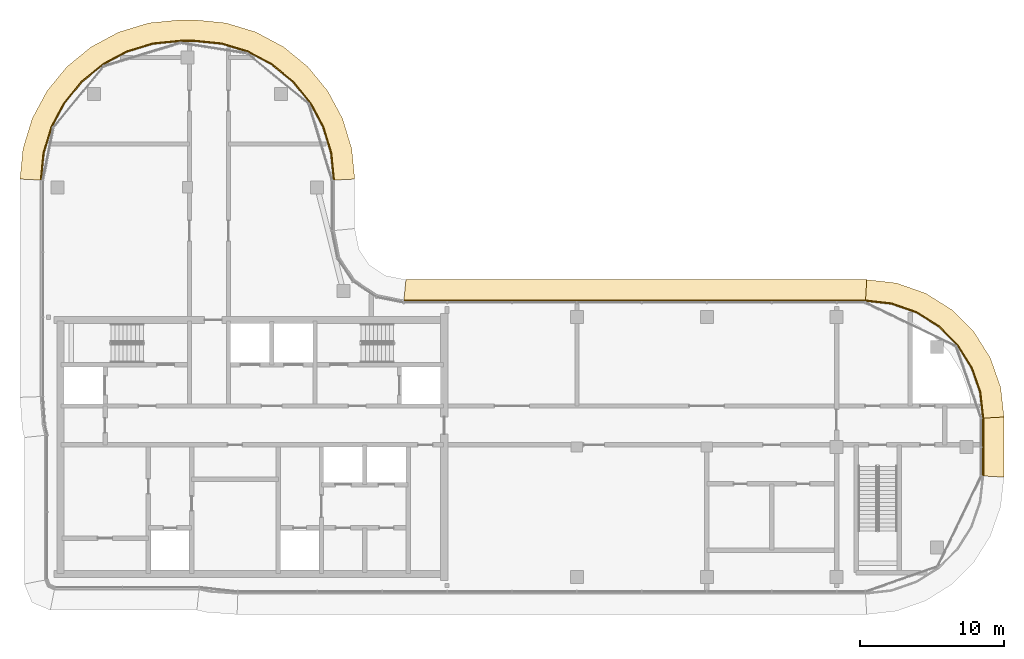
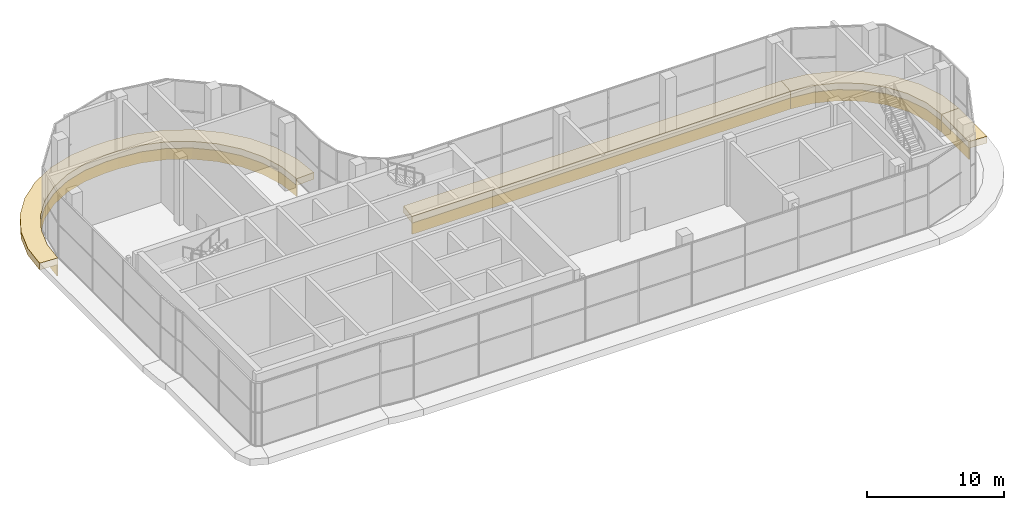
# One storey, part 23 of 23: 8 coverings.
"""IFC4 building model written with IfcOpenShell, lengths in metres."""

from ifc_helpers import new_model, si_unit, direction, frame, origin, place, context, subcontext, project, spatial, polyline, outline, extrude, material, layer, layer_set, type_object, element, save


model = new_model("IFC4")

# Units and contexts
model_context = context("Model", 3, precision=1e-05, world=origin(), true_north=direction((0.0, 1.0)))
body_context = subcontext(model_context, "Body", "Model", "MODEL_VIEW")
ifc_project = project(units=[si_unit("LENGTHUNIT", "METRE"), si_unit("AREAUNIT", "SQUARE_METRE"), si_unit("VOLUMEUNIT", "CUBIC_METRE"), si_unit("PLANEANGLEUNIT", "RADIAN"), si_unit("MASSUNIT", "GRAM", prefix="KILO")], contexts=[model_context])

# Site, building, storey
site_placement = place(None, origin())
site = spatial("IfcSite", under=ifc_project, at=site_placement, CompositionType="ELEMENT")
building_placement = place(site_placement, origin())
building = spatial("IfcBuilding", under=site, at=building_placement, Name="Ogive Portal Towers", CompositionType="ELEMENT")
storey_placement = place(building_placement, frame((0.0, 0.0, 260.89990234375)))
storey = spatial("IfcBuildingStorey", under=building, at=storey_placement, Name="L64", CompositionType="ELEMENT", Elevation=260.89990234375)

# Coverings
ifc_material = material(Name="Limestone cladding on lightweight block wall", Category="masonry")
ifc_layer_1 = layer(ifc_material, 0.080078125)
ifc_layer_set_1 = layer_set([ifc_layer_1], Name="STONE SPANDREL 80")
covering_type_1 = type_object("IfcCoveringType", Name="STONE SPANDREL 80", PredefinedType="CLADDING", material=ifc_layer_set_1)
covering_1_placement = place(storey_placement, frame((0.0, 0.0, -1.599853515625)))
element("IfcCovering", 1, at=covering_1_placement, inside=storey, type_object=covering_type_1, Name="Stone spandrel A1-F07", PredefinedType="CLADDING", context=body_context, shape_type="SweptSolid", body=[
    extrude(outline(polyline([(95.60009765625, 28.5), (95.60009765625, 32.5), (95.679931640625, 32.50439453125), (95.679931640625, 28.49560546875), (95.60009765625, 28.5)])), origin(), (0.0, 0.0, 1.0), 1.0),
])
covering_2_placement = place(storey_placement, frame((0.0, 0.0, -1.599853515625)))
element("IfcCovering", 2, at=covering_2_placement, inside=storey, type_object=covering_type_1, Name="Stone spandrel A1-F08", PredefinedType="CLADDING", context=body_context, shape_type="SweptSolid", body=[
    extrude(outline(polyline([(95.60009765625, 32.5), (95.39697265625, 34.302490234375), (94.7978515625, 36.014404296875), (93.832763671875, 37.55029296875), (92.55029296875, 38.832763671875), (91.014404296875, 39.7978515625), (89.302490234375, 40.39697265625), (87.5, 40.60009765625), (87.50439453125, 40.679931640625), (89.3203125, 40.475341796875), (91.04931640625, 39.870361328125), (92.600341796875, 38.895751953125), (93.895751953125, 37.600341796875), (94.870361328125, 36.04931640625), (95.475341796875, 34.3203125), (95.679931640625, 32.50439453125), (95.60009765625, 32.5)])), origin(), (0.0, 0.0, 1.0), 1.0),
])
covering_3_placement = place(storey_placement, frame((0.0, 0.0, -1.599853515625)))
element("IfcCovering", 3, at=covering_3_placement, inside=storey, type_object=covering_type_1, Name="Stone spandrel A1-F09", PredefinedType="CLADDING", context=body_context, shape_type="SweptSolid", body=[
    extrude(outline(polyline([(87.5, 40.60009765625), (55.5, 40.60009765625), (55.5078125, 40.679931640625), (87.50439453125, 40.679931640625), (87.5, 40.60009765625)])), origin(), (0.0, 0.0, 1.0), 1.0),
])
covering_4_placement = place(storey_placement, frame((0.0, 0.0, -1.599853515625)))
element("IfcCovering", 4, at=covering_4_placement, inside=storey, type_object=covering_type_1, Name="Stone spandrel A1-F12", PredefinedType="CLADDING", context=body_context, shape_type="SweptSolid", body=[
    extrude(outline(polyline([(50.60009765625, 49.0), (50.41552734375, 50.872802734375), (49.869140625, 52.673828125), (48.982177734375, 54.33349609375), (47.788330078125, 55.788330078125), (46.33349609375, 56.982177734375), (44.673828125, 57.869140625), (42.872802734375, 58.41552734375), (41.0, 58.60009765625), (40.0, 58.60009765625), (38.127197265625, 58.41552734375), (36.326171875, 57.869140625), (34.66650390625, 56.982177734375), (33.211669921875, 55.788330078125), (32.017822265625, 54.33349609375), (31.130859375, 52.673828125), (30.58447265625, 50.872802734375), (30.39990234375, 49.0), (30.320068359375, 49.00390625), (30.505615234375, 50.888671875), (31.056396484375, 52.70458984375), (31.951171875, 54.378173828125), (33.155029296875, 55.844970703125), (34.621826171875, 57.048828125), (36.29541015625, 57.943603515625), (38.111328125, 58.494384765625), (39.99609375, 58.679931640625), (41.00390625, 58.679931640625), (42.888671875, 58.494384765625), (44.70458984375, 57.943603515625), (46.378173828125, 57.048828125), (47.844970703125, 55.844970703125), (49.048828125, 54.378173828125), (49.943603515625, 52.70458984375), (50.494384765625, 50.888671875), (50.679931640625, 49.00390625), (50.60009765625, 49.0)])), origin(), (0.0, 0.0, 1.0), 1.0),
])
ifc_layer_2 = layer(ifc_material, 0.60009765625)
ifc_layer_set_2 = layer_set([ifc_layer_2], Name="SUNSHADE LIP 600")
covering_type_2 = type_object("IfcCoveringType", Name="SUNSHADE LIP 600", PredefinedType="CLADDING", material=ifc_layer_set_2)
covering_5_placement = place(storey_placement, frame((0.0, 0.0, -0.599853515625)))
element("IfcCovering", 5, at=covering_5_placement, inside=storey, type_object=covering_type_2, Name="Sunshade lip A1-F07", PredefinedType="CLADDING", context=body_context, shape_type="SweptSolid", body=[
    extrude(outline(polyline([(95.60009765625, 28.5), (95.60009765625, 32.5), (97.10009765625, 32.584228515625), (97.10009765625, 28.415771484375), (95.60009765625, 28.5)])), origin(), (0.0, 0.0, 1.0), 0.599853515625),
])
covering_6_placement = place(storey_placement, frame((0.0, 0.0, -0.599853515625)))
element("IfcCovering", 6, at=covering_6_placement, inside=storey, type_object=covering_type_2, Name="Sunshade lip A1-F08", PredefinedType="CLADDING", context=body_context, shape_type="SweptSolid", body=[
    extrude(outline(polyline([(95.60009765625, 32.5), (95.39697265625, 34.302490234375), (94.7978515625, 36.014404296875), (93.832763671875, 37.55029296875), (92.55029296875, 38.832763671875), (91.014404296875, 39.7978515625), (89.302490234375, 40.39697265625), (87.5, 40.60009765625), (87.584228515625, 42.10009765625), (89.638427734375, 41.86865234375), (91.66943359375, 41.157958984375), (93.491455078125, 40.012939453125), (95.012939453125, 38.491455078125), (96.157958984375, 36.66943359375), (96.86865234375, 34.638427734375), (97.10009765625, 32.584228515625), (95.60009765625, 32.5)])), origin(), (0.0, 0.0, 1.0), 0.599853515625),
])
covering_7_placement = place(storey_placement, frame((0.0, 0.0, -0.599853515625)))
element("IfcCovering", 7, at=covering_7_placement, inside=storey, type_object=covering_type_2, Name="Sunshade lip A1-F09", PredefinedType="CLADDING", context=body_context, shape_type="SweptSolid", body=[
    extrude(outline(polyline([(87.5, 40.60009765625), (55.5, 40.60009765625), (55.647705078125, 42.10009765625), (87.584228515625, 42.10009765625), (87.5, 40.60009765625)])), origin(), (0.0, 0.0, 1.0), 0.599853515625),
])
covering_8_placement = place(storey_placement, frame((0.0, 0.0, -0.599853515625)))
element("IfcCovering", 8, at=covering_8_placement, inside=storey, type_object=covering_type_2, Name="Sunshade lip A1-F12", PredefinedType="CLADDING", context=body_context, shape_type="SweptSolid", body=[
    extrude(outline(polyline([(50.60009765625, 49.0), (50.41552734375, 50.872802734375), (49.869140625, 52.673828125), (48.982177734375, 54.33349609375), (47.788330078125, 55.788330078125), (46.33349609375, 56.982177734375), (44.673828125, 57.869140625), (42.872802734375, 58.41552734375), (41.0, 58.60009765625), (40.0, 58.60009765625), (38.127197265625, 58.41552734375), (36.326171875, 57.869140625), (34.66650390625, 56.982177734375), (33.211669921875, 55.788330078125), (32.017822265625, 54.33349609375), (31.130859375, 52.673828125), (30.58447265625, 50.872802734375), (30.39990234375, 49.0), (28.89990234375, 49.07373046875), (29.106201171875, 51.1669921875), (29.73828125, 53.25048828125), (30.7646484375, 55.1708984375), (32.14599609375, 56.85400390625), (33.8291015625, 58.2353515625), (35.74951171875, 59.26171875), (37.8330078125, 59.893798828125), (39.92626953125, 60.10009765625), (41.07373046875, 60.10009765625), (43.1669921875, 59.893798828125), (45.25048828125, 59.26171875), (47.1708984375, 58.2353515625), (48.85400390625, 56.85400390625), (50.2353515625, 55.1708984375), (51.26171875, 53.25048828125), (51.893798828125, 51.1669921875), (52.10009765625, 49.07373046875), (50.60009765625, 49.0)])), origin(), (0.0, 0.0, 1.0), 0.599853515625),
])

save(model, "model.ifc")
